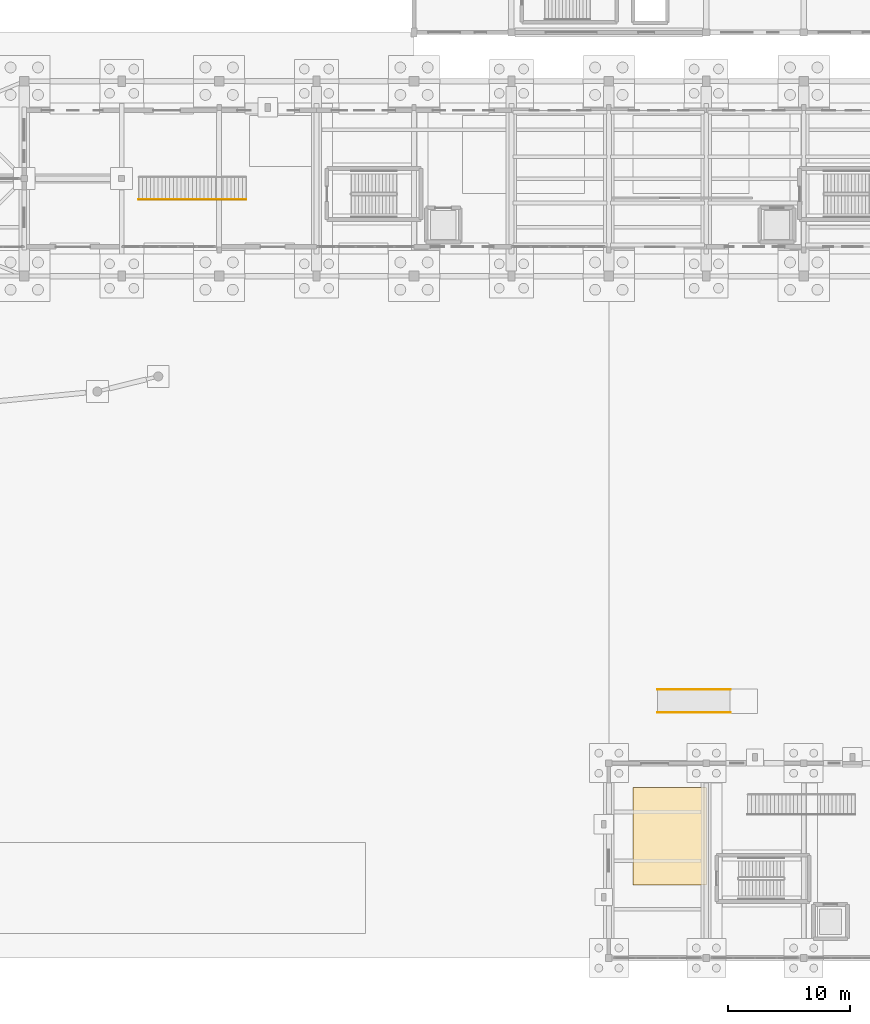
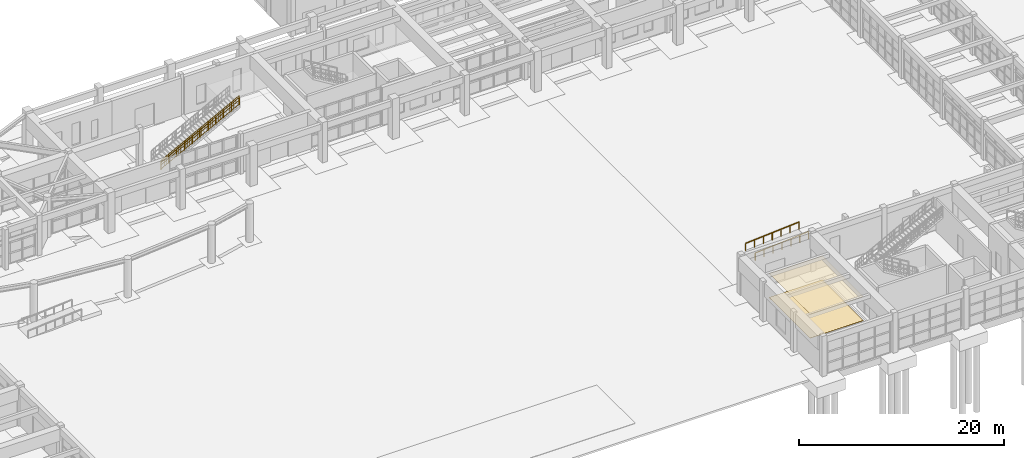
# One storey, part 59 of 68: 4 railings, 2 coverings.
"""IFC4 building model written with IfcOpenShell, lengths in metres."""

import ifcopenshell
import ifcopenshell.guid

model = None  # the IFC model being written
_history = None  # IfcOwnerHistory: only IFC2X3 demands one
_inside = {}  # id of a spatial element -> (the spatial element, [elements in it])
_under = {}  # id of a project, library or spatial element -> (it, [spatial elements below it])
_declared = {}  # id of a project -> (the project, [libraries it declares])
_typed = {}  # id of a type object -> (the type object, [elements of that type])
_made_of = {}  # id of a material, layer set ... -> (it, [elements and type objects made of it])


def new_model(schema):
    """Start an empty IFC model of exactly this schema.

    Asked for "IFC4X3", IfcOpenShell would pick the latest addendum, in which some entities
    have other attributes; the version numbers below select the first issue.
    IFC2X3 requires an IfcOwnerHistory on every rooted entity: one is made here for all.
    """
    global model, _history
    if schema == "IFC4X3":
        model = ifcopenshell.file(schema_version=(4, 3, 0, 0))
    else:
        model = ifcopenshell.file(schema=schema)
    _inside.clear()
    _under.clear()
    _declared.clear()
    _typed.clear()
    _made_of.clear()
    _history = None
    if model.schema == "IFC2X3":
        org = make("IfcOrganization", Name="unknown")
        user = make(
            "IfcPersonAndOrganization",
            ThePerson=make("IfcPerson", FamilyName="unknown"),
            TheOrganization=org,
        )
        app = make(
            "IfcApplication",
            ApplicationDeveloper=org,
            Version="unknown",
            ApplicationFullName="unknown",
            ApplicationIdentifier="unknown",
        )
        _history = make(
            "IfcOwnerHistory",
            OwningUser=user,
            OwningApplication=app,
            ChangeAction="ADDED",
            CreationDate=0,
        )
    return model


def make(cls, **values):
    """One entity of the class cls with the attributes given. An attribute that is None is left unset."""
    return model.create_entity(
        cls, **{name: value for name, value in values.items() if value is not None}
    )


def rooted(cls, **values):
    """An entity with a GlobalId (a new one), such as an element, a storey or a relation."""
    return make(cls, GlobalId=ifcopenshell.guid.new(), OwnerHistory=_history, **values)


def si_unit(unit_type, name, prefix=None):
    """IfcSIUnit, for example si_unit("LENGTHUNIT", "METRE", prefix="MILLI")."""
    return make("IfcSIUnit", UnitType=unit_type, Prefix=prefix, Name=name)


def assignment(units):
    """IfcUnitAssignment: the units of a project."""
    return None if units is None else make("IfcUnitAssignment", Units=units)


def point(xyz):
    """IfcCartesianPoint."""
    return None if xyz is None else make("IfcCartesianPoint", Coordinates=xyz)


def direction(xyz):
    """IfcDirection."""
    return None if xyz is None else make("IfcDirection", DirectionRatios=xyz)


def frame(location, z_axis=None, x_axis=None):
    """IfcAxis2Placement3D, a coordinate frame: its origin and axes. An axis left out is left unset."""
    return make(
        "IfcAxis2Placement3D",
        Location=point(location),
        Axis=direction(z_axis),
        RefDirection=direction(x_axis),
    )


def frame_2d(location, x_axis=None):
    """IfcAxis2Placement2D, a coordinate frame in the plane: its origin and x axis."""
    return make(
        "IfcAxis2Placement2D", Location=point(location), RefDirection=direction(x_axis)
    )


def origin():
    """The frame at (0, 0, 0) with its axes left unset."""
    return frame((0.0, 0.0, 0.0))


def origin_2d():
    """The frame at (0, 0) in the plane with its x axis left unset."""
    return frame_2d((0.0, 0.0))


def place(relative_to, where):
    """IfcLocalPlacement: puts the frame where relative to a parent placement (None: the world)."""
    return make(
        "IfcLocalPlacement", PlacementRelTo=relative_to, RelativePlacement=where
    )


def context(
    kind, dimensions, precision=None, world=None, true_north=None, identifier=None
):
    """IfcGeometricRepresentationContext, for example the 3D "Model" context."""
    return make(
        "IfcGeometricRepresentationContext",
        ContextIdentifier=identifier,
        ContextType=kind,
        CoordinateSpaceDimension=dimensions,
        Precision=precision,
        WorldCoordinateSystem=world,
        TrueNorth=true_north,
    )


def subcontext(parent, identifier, kind, view, scale=None):
    """IfcGeometricRepresentationSubContext, for example "Body" below "Model"."""
    return make(
        "IfcGeometricRepresentationSubContext",
        ContextIdentifier=identifier,
        ContextType=kind,
        ParentContext=parent,
        TargetScale=scale,
        TargetView=view,
    )


def project(units=None, contexts=None):
    """IfcProject with its units and contexts."""
    return rooted(
        "IfcProject",
        Name="project",
        RepresentationContexts=contexts,
        UnitsInContext=assignment(units),
    )


def spatial(cls, under=None, at=None, **own):
    """A site, building, storey or space (cls), placed at a placement, below another one or the project."""
    s = rooted(cls, ObjectPlacement=at, **own)
    if under is not None:
        _under.setdefault(under.id(), (under, []))[1].append(s)
    return s


def polyline(points):
    """IfcPolyline through the points."""
    return make("IfcPolyline", Points=[point(p) for p in points])


def profile(cls, at=None, kind="AREA", **sizes):
    """A parametric profile (cls). Its sizes go by their IFC names, for example OverallWidth=200.0."""
    return make(cls, ProfileType=kind, Position=at, **sizes)


def rectangle(**sizes):
    """IfcRectangleProfileDef."""
    return profile("IfcRectangleProfileDef", **sizes)


def outline(outer, holes=None, kind="AREA"):
    """IfcArbitraryClosedProfileDef: a profile drawn as a closed curve; with holes, ...WithVoids."""
    if holes is None:
        return make("IfcArbitraryClosedProfileDef", ProfileType=kind, OuterCurve=outer)
    return make(
        "IfcArbitraryProfileDefWithVoids",
        ProfileType=kind,
        OuterCurve=outer,
        InnerCurves=holes,
    )


def extrude(swept, where, along, depth):
    """IfcExtrudedAreaSolid: the profile swept, set in the frame where, extruded along a direction by depth."""
    return make(
        "IfcExtrudedAreaSolid",
        SweptArea=swept,
        Position=where,
        ExtrudedDirection=direction(along),
        Depth=depth,
    )


def shape(context_of_items, identifier, shape_type, items):
    """IfcShapeRepresentation: the items that make up one representation, for example the "Body"."""
    return make(
        "IfcShapeRepresentation",
        ContextOfItems=context_of_items,
        RepresentationIdentifier=identifier,
        RepresentationType=shape_type,
        Items=items,
    )


def material(Name=None, Category=None):
    """IfcMaterial."""
    return make("IfcMaterial", Name=Name, Category=Category)


def layer(
    of_material, thickness, ventilated=None, Name=None, Category=None, Priority=None
):
    """IfcMaterialLayer: one layer of a wall or slab, of a material (None: an air gap)."""
    return make(
        "IfcMaterialLayer",
        Material=of_material,
        LayerThickness=thickness,
        IsVentilated=ventilated,
        Name=Name,
        Category=Category,
        Priority=Priority,
    )


def layer_set(layers, Name=None):
    """IfcMaterialLayerSet."""
    return make("IfcMaterialLayerSet", MaterialLayers=layers, LayerSetName=Name)


def made_of(thing, what):
    """Note that an element or type object is made of a material, layer set ...; save() writes the relation."""
    if what is not None:
        _made_of.setdefault(what.id(), (what, []))[1].append(thing)
    return thing


def type_object(cls, material=None, **own):
    """A type object (cls), such as IfcWallType, which elements share."""
    return made_of(rooted(cls, **own), material)


def element(
    cls,
    number,
    at=None,
    inside=None,
    cuts=None,
    type_object=None,
    material=None,
    context=None,
    identifier="Body",
    shape_type=None,
    held_by="IfcProductDefinitionShape",
    body=None,
    shapes=None,
    **own,
):
    """One element of the class cls, such as IfcWall. Its Tag is "e" and its number.

    at: its placement. inside: the storey or other place that contains it. cuts: it is an
    opening in that element (IfcRelVoidsElement). A single representation is given by context,
    identifier, shape_type and body (its items); several are given by shapes. held_by: the class
    of the entity that holds the representations. save() writes the other relations.
    """
    e = rooted(cls, Tag="e%d" % number, ObjectPlacement=at, **own)
    if body is not None:
        shapes = [shape(context, identifier, shape_type, body)]
    if shapes is not None:
        e.Representation = make(held_by, Representations=shapes)
    if inside is not None:
        _inside.setdefault(inside.id(), (inside, []))[1].append(e)
    if cuts is not None:
        rooted(
            "IfcRelVoidsElement", RelatingBuildingElement=cuts, RelatedOpeningElement=e
        )
    if type_object is not None:
        _typed.setdefault(type_object.id(), (type_object, []))[1].append(e)
    return made_of(e, material)


def aggregate(whole, parts):
    """IfcRelAggregates: a whole, such as a stair, and the parts it consists of."""
    return rooted("IfcRelAggregates", RelatingObject=whole, RelatedObjects=parts)


def save(model, path):
    """Write the relations noted so far, then the file.

    IfcRelAggregates (storeys below a building ...), IfcRelContainedInSpatialStructure (elements
    in a storey), IfcRelDefinesByType, IfcRelAssociatesMaterial and IfcRelDeclares: one each for
    every whole, place, type object, material and project.
    """
    for whole, parts in _under.values():
        aggregate(whole, parts)
    for where, things in _inside.values():
        rooted(
            "IfcRelContainedInSpatialStructure",
            RelatedElements=things,
            RelatingStructure=where,
        )
    for kind, things in _typed.values():
        rooted("IfcRelDefinesByType", RelatedObjects=things, RelatingType=kind)
    for what, things in _made_of.values():
        rooted("IfcRelAssociatesMaterial", RelatedObjects=things, RelatingMaterial=what)
    for by, libraries in _declared.values():
        rooted("IfcRelDeclares", RelatingContext=by, RelatedDefinitions=libraries)
    model.write(path)


model = new_model("IFC4")

# Units and contexts
model_context = context("Model", 3, precision=1e-05, world=origin(), true_north=direction((0.0, 1.0)))
body_context = subcontext(model_context, "Body", "Model", "MODEL_VIEW")
ifc_project = project(units=[si_unit("LENGTHUNIT", "METRE"), si_unit("AREAUNIT", "SQUARE_METRE"), si_unit("VOLUMEUNIT", "CUBIC_METRE"), si_unit("PLANEANGLEUNIT", "RADIAN"), si_unit("MASSUNIT", "GRAM", prefix="KILO")], contexts=[model_context])

# Site, building, storey
site_placement = place(None, origin())
site = spatial("IfcSite", under=ifc_project, at=site_placement, CompositionType="ELEMENT")
building_placement = place(site_placement, origin())
building = spatial("IfcBuilding", under=site, at=building_placement, Name="Serraluz Foothill Cableway Terminal", CompositionType="ELEMENT")
storey_placement = place(building_placement, origin())
storey = spatial("IfcBuildingStorey", under=building, at=storey_placement, Name="L00", CompositionType="ELEMENT", Elevation=0.0)

# Coverings
ifc_material_1 = material(Name="Perforated acoustic mineral and timber ceiling", Category="wood")
ifc_layer_1 = layer(ifc_material_1, 0.034912109375, Name="Perforated acoustic mineral and timber ceiling", Category="wood")
ifc_layer_set_1 = layer_set([ifc_layer_1], Name="Perforated acoustic mineral and timber ceiling")
covering_type_1 = type_object("IfcCoveringType", Name="TYP-COV-CEIL-35", PredefinedType="CEILING", material=ifc_layer_set_1)
covering_1_placement = place(storey_placement, frame((0.0, 0.0, 2.85595703125)))
element("IfcCovering", 1, at=covering_1_placement, inside=storey, type_object=covering_type_1, Name="Suspended Acoustic Ceiling 04", PredefinedType="CEILING", context=body_context, shape_type="SweptSolid", body=[
    extrude(outline(polyline([(90.0, 6.0), (90.0, 14.0), (96.0, 14.0), (96.0, 6.0), (90.0, 6.0)])), origin(), (0.0, 0.0, 1.0), 0.03515625),
])
ifc_material_2 = material(Name="Honed basalt and terrazzo floor finish", Category="masonry")
ifc_layer_2 = layer(ifc_material_2, 0.02490234375, Name="Honed basalt and terrazzo floor finish", Category="masonry")
ifc_layer_set_2 = layer_set([ifc_layer_2], Name="Honed basalt and terrazzo floor finish")
covering_type_2 = type_object("IfcCoveringType", Name="TYP-COV-FLR-25", PredefinedType="FLOORING", material=ifc_layer_set_2)
covering_2_placement = place(storey_placement, origin())
element("IfcCovering", 2, at=covering_2_placement, inside=storey, type_object=covering_type_2, Name="Terrazzo Concourse Flooring 04", PredefinedType="FLOORING", context=body_context, shape_type="SweptSolid", body=[
    extrude(outline(polyline([(90.0, 6.0), (96.0, 6.0), (96.0, 14.0), (90.0, 14.0), (90.0, 6.0)])), origin(), (0.0, 0.0, 1.0), 0.02490234375),
])

# Railings
ifc_material_3 = material(Name="Steel ASTM A572 Grade 50", Category="steel")
ifc_layer_3 = layer(ifc_material_3, 0.054931640625, Name="Steel ASTM A572 Grade 50", Category="steel")
ifc_layer_set_3 = layer_set([ifc_layer_3], Name="Steel ASTM A572 Grade 50")
railing_type_1 = type_object("IfcRailingType", Name="TYP-RL-GRD-1150", PredefinedType="GUARDRAIL", material=ifc_layer_set_3)
railing_1_placement = place(storey_placement, frame((49.39990234375, 62.25, 0.16552734375)))
element("IfcRailing", 3, at=railing_1_placement, inside=storey, type_object=railing_type_1, Name="GUARDRAIL ST-F01-L", PredefinedType="GUARDRAIL", context=body_context, shape_type="SweptSolid", body=[
    extrude(rectangle(XDim=0.048095703125, YDim=0.048095703125, at=origin_2d()), frame((0.0, 0.0, 1.1259765625), z_axis=(0.88523321492, 0.0, 0.465147455333), x_axis=(0.0, 1.0, 0.0)), (0.0, 0.0, 1.0), 9.963623046875),
    extrude(rectangle(XDim=0.048095703125, YDim=0.048095703125, at=origin_2d()), frame((0.0, 0.0, 0.597900390625), z_axis=(0.88523321492, 0.0, 0.465147455333), x_axis=(0.0, 1.0, 0.0)), (0.0, 0.0, 1.0), 9.963623046875),
    extrude(rectangle(XDim=0.048095703125, YDim=0.048095703125, at=origin_2d()), frame((0.0, 0.0, 0.1201171875), z_axis=(0.88523321492, 0.0, 0.465147455333), x_axis=(0.0, 1.0, 0.0)), (0.0, 0.0, 1.0), 9.963623046875),
    extrude(rectangle(XDim=0.02001953125, YDim=0.02001953125, at=origin_2d()), frame((0.215087890625, 0.0, 0.233154296875)), (0.0, 0.0, 1.0), 0.981689453125),
    extrude(rectangle(XDim=0.02001953125, YDim=0.02001953125, at=origin_2d()), frame((0.43017578125, 0.0, 0.34619140625)), (0.0, 0.0, 1.0), 0.981689453125),
    extrude(rectangle(XDim=0.02001953125, YDim=0.02001953125, at=origin_2d()), frame((0.645263671875, 0.0, 0.459228515625)), (0.0, 0.0, 1.0), 0.981689453125),
    extrude(rectangle(XDim=0.02001953125, YDim=0.02001953125, at=origin_2d()), frame((1.07568359375, 0.0, 0.685302734375)), (0.0, 0.0, 1.0), 0.981689453125),
    extrude(rectangle(XDim=0.02001953125, YDim=0.02001953125, at=origin_2d()), frame((1.290771484375, 0.0, 0.79833984375)), (0.0, 0.0, 1.0), 0.981689453125),
    extrude(rectangle(XDim=0.02001953125, YDim=0.02001953125, at=origin_2d()), frame((1.505859375, 0.0, 0.911376953125)), (0.0, 0.0, 1.0), 0.981689453125),
    extrude(rectangle(XDim=0.02001953125, YDim=0.02001953125, at=origin_2d()), frame((1.93603515625, 0.0, 1.137451171875)), (0.0, 0.0, 1.0), 0.981689453125),
    extrude(rectangle(XDim=0.02001953125, YDim=0.02001953125, at=origin_2d()), frame((2.151123046875, 0.0, 1.25048828125)), (0.0, 0.0, 1.0), 0.981689453125),
    extrude(rectangle(XDim=0.02001953125, YDim=0.02001953125, at=origin_2d()), frame((2.366455078125, 0.0, 1.363525390625)), (0.0, 0.0, 1.0), 0.981689453125),
    extrude(rectangle(XDim=0.02001953125, YDim=0.02001953125, at=origin_2d()), frame((2.58154296875, 0.0, 1.4765625)), (0.0, 0.0, 1.0), 0.981689453125),
    extrude(rectangle(XDim=0.02001953125, YDim=0.02001953125, at=origin_2d()), frame((2.796630859375, 0.0, 1.589599609375)), (0.0, 0.0, 1.0), 0.981689453125),
    extrude(rectangle(XDim=0.02001953125, YDim=0.02001953125, at=origin_2d()), frame((3.01171875, 0.0, 1.70263671875)), (0.0, 0.0, 1.0), 0.981689453125),
    extrude(rectangle(XDim=0.02001953125, YDim=0.02001953125, at=origin_2d()), frame((3.226806640625, 0.0, 1.815673828125)), (0.0, 0.0, 1.0), 0.981689453125),
    extrude(rectangle(XDim=0.02001953125, YDim=0.02001953125, at=origin_2d()), frame((3.44189453125, 0.0, 1.9287109375)), (0.0, 0.0, 1.0), 0.981689453125),
    extrude(rectangle(XDim=0.02001953125, YDim=0.02001953125, at=origin_2d()), frame((3.656982421875, 0.0, 2.041748046875)), (0.0, 0.0, 1.0), 0.981689453125),
    extrude(rectangle(XDim=0.02001953125, YDim=0.02001953125, at=origin_2d()), frame((3.872314453125, 0.0, 2.15478515625)), (0.0, 0.0, 1.0), 0.981689453125),
    extrude(rectangle(XDim=0.02001953125, YDim=0.02001953125, at=origin_2d()), frame((4.08740234375, 0.0, 2.267822265625)), (0.0, 0.0, 1.0), 0.981689453125),
    extrude(rectangle(XDim=0.02001953125, YDim=0.02001953125, at=origin_2d()), frame((4.302490234375, 0.0, 2.380859375)), (0.0, 0.0, 1.0), 0.981689453125),
    extrude(rectangle(XDim=0.02001953125, YDim=0.02001953125, at=origin_2d()), frame((4.517578125, 0.0, 2.493896484375)), (0.0, 0.0, 1.0), 0.981689453125),
    extrude(rectangle(XDim=0.02001953125, YDim=0.02001953125, at=origin_2d()), frame((4.732666015625, 0.0, 2.60693359375)), (0.0, 0.0, 1.0), 0.981689453125),
    extrude(rectangle(XDim=0.02001953125, YDim=0.02001953125, at=origin_2d()), frame((4.94775390625, 0.0, 2.719970703125)), (0.0, 0.0, 1.0), 0.981689453125),
    extrude(rectangle(XDim=0.02001953125, YDim=0.02001953125, at=origin_2d()), frame((5.1630859375, 0.0, 2.8330078125)), (0.0, 0.0, 1.0), 0.981689453125),
    extrude(rectangle(XDim=0.02001953125, YDim=0.02001953125, at=origin_2d()), frame((5.378173828125, 0.0, 2.946044921875)), (0.0, 0.0, 1.0), 0.981689453125),
    extrude(rectangle(XDim=0.02001953125, YDim=0.02001953125, at=origin_2d()), frame((5.59326171875, 0.0, 3.05908203125)), (0.0, 0.0, 1.0), 0.981689453125),
    extrude(rectangle(XDim=0.02001953125, YDim=0.02001953125, at=origin_2d()), frame((5.808349609375, 0.0, 3.172119140625)), (0.0, 0.0, 1.0), 0.981689453125),
    extrude(rectangle(XDim=0.02001953125, YDim=0.02001953125, at=origin_2d()), frame((6.0234375, 0.0, 3.28515625)), (0.0, 0.0, 1.0), 0.981689453125),
    extrude(rectangle(XDim=0.02001953125, YDim=0.02001953125, at=origin_2d()), frame((6.238525390625, 0.0, 3.398193359375)), (0.0, 0.0, 1.0), 0.981689453125),
    extrude(rectangle(XDim=0.02001953125, YDim=0.02001953125, at=origin_2d()), frame((6.45361328125, 0.0, 3.51123046875)), (0.0, 0.0, 1.0), 0.981689453125),
    extrude(rectangle(XDim=0.02001953125, YDim=0.02001953125, at=origin_2d()), frame((6.6689453125, 0.0, 3.624267578125)), (0.0, 0.0, 1.0), 0.981689453125),
    extrude(rectangle(XDim=0.02001953125, YDim=0.02001953125, at=origin_2d()), frame((6.884033203125, 0.0, 3.7373046875)), (0.0, 0.0, 1.0), 0.981689453125),
    extrude(rectangle(XDim=0.02001953125, YDim=0.02001953125, at=origin_2d()), frame((7.314208984375, 0.0, 3.96337890625)), (0.0, 0.0, 1.0), 0.981689453125),
    extrude(rectangle(XDim=0.02001953125, YDim=0.02001953125, at=origin_2d()), frame((7.529296875, 0.0, 4.076416015625)), (0.0, 0.0, 1.0), 0.981689453125),
    extrude(rectangle(XDim=0.02001953125, YDim=0.02001953125, at=origin_2d()), frame((7.744384765625, 0.0, 4.189453125)), (0.0, 0.0, 1.0), 0.981689453125),
    extrude(rectangle(XDim=0.02001953125, YDim=0.02001953125, at=origin_2d()), frame((8.1748046875, 0.0, 4.41552734375)), (0.0, 0.0, 1.0), 0.981689453125),
    extrude(rectangle(XDim=0.02001953125, YDim=0.02001953125, at=origin_2d()), frame((8.389892578125, 0.0, 4.528564453125)), (0.0, 0.0, 1.0), 0.981689453125),
    extrude(rectangle(XDim=0.02001953125, YDim=0.02001953125, at=origin_2d()), frame((8.60498046875, 0.0, 4.6416015625)), (0.0, 0.0, 1.0), 0.981689453125),
    extrude(rectangle(XDim=0.0439453125, YDim=0.0439453125, at=origin_2d()), origin(), (0.0, 0.0, 1.0), 1.101806640625),
    extrude(rectangle(XDim=0.0439453125, YDim=0.0439453125, at=origin_2d()), frame((0.882080078125, 0.0, 0.46337890625)), (0.0, 0.0, 1.0), 1.101806640625),
    extrude(rectangle(XDim=0.0439453125, YDim=0.0439453125, at=origin_2d()), frame((1.763916015625, 0.0, 0.927001953125)), (0.0, 0.0, 1.0), 1.101806640625),
    extrude(rectangle(XDim=0.0439453125, YDim=0.0439453125, at=origin_2d()), frame((2.64599609375, 0.0, 1.390380859375)), (0.0, 0.0, 1.0), 1.101806640625),
    extrude(rectangle(XDim=0.0439453125, YDim=0.0439453125, at=origin_2d()), frame((3.528076171875, 0.0, 1.853759765625)), (0.0, 0.0, 1.0), 1.101806640625),
    extrude(rectangle(XDim=0.0439453125, YDim=0.0439453125, at=origin_2d()), frame((4.41015625, 0.0, 2.3173828125)), (0.0, 0.0, 1.0), 1.101806640625),
    extrude(rectangle(XDim=0.0439453125, YDim=0.0439453125, at=origin_2d()), frame((5.2919921875, 0.0, 2.78076171875)), (0.0, 0.0, 1.0), 1.101806640625),
    extrude(rectangle(XDim=0.0439453125, YDim=0.0439453125, at=origin_2d()), frame((6.174072265625, 0.0, 3.244140625)), (0.0, 0.0, 1.0), 1.101806640625),
    extrude(rectangle(XDim=0.0439453125, YDim=0.0439453125, at=origin_2d()), frame((7.05615234375, 0.0, 3.70751953125)), (0.0, 0.0, 1.0), 1.101806640625),
    extrude(rectangle(XDim=0.0439453125, YDim=0.0439453125, at=origin_2d()), frame((7.93798828125, 0.0, 4.171142578125)), (0.0, 0.0, 1.0), 1.101806640625),
    extrude(rectangle(XDim=0.0439453125, YDim=0.0439453125, at=origin_2d()), frame((8.820068359375, 0.0, 4.634521484375)), (0.0, 0.0, 1.0), 1.101806640625),
])
ifc_material_4 = material(Name="Architectural bronze alloy C28000", Category="aluminium")
ifc_layer_4 = layer(ifc_material_4, 0.048095703125, Name="Architectural bronze alloy C28000", Category="aluminium")
ifc_layer_set_4 = layer_set([ifc_layer_4], Name="Architectural bronze alloy C28000")
railing_type_2 = type_object("IfcRailingType", Name="TYP-RL-HND-920", PredefinedType="HANDRAIL", material=ifc_layer_set_4)
railing_2_placement = place(storey_placement, frame((49.39990234375, 62.280029296875, 0.16552734375)))
element("IfcRailing", 4, at=railing_2_placement, inside=storey, type_object=railing_type_2, Name="HANDRAIL ST-F01", PredefinedType="HANDRAIL", context=body_context, shape_type="SweptSolid", body=[
    extrude(rectangle(XDim=0.048095703125, YDim=0.048095703125, at=origin_2d()), frame((0.0, 0.0, 0.8759765625), z_axis=(0.88523321492, 0.0, 0.465147455333), x_axis=(0.0, 1.0, 0.0)), (0.0, 0.0, 1.0), 9.963623046875),
    extrude(rectangle(XDim=0.0439453125, YDim=0.0439453125, at=origin_2d()), origin(), (0.0, 0.0, 1.0), 0.851806640625),
    extrude(rectangle(XDim=0.0439453125, YDim=0.0439453125, at=origin_2d()), frame((0.882080078125, 0.0, 0.46337890625)), (0.0, 0.0, 1.0), 0.851806640625),
    extrude(rectangle(XDim=0.0439453125, YDim=0.0439453125, at=origin_2d()), frame((1.763916015625, 0.0, 0.927001953125)), (0.0, 0.0, 1.0), 0.851806640625),
    extrude(rectangle(XDim=0.0439453125, YDim=0.0439453125, at=origin_2d()), frame((2.64599609375, 0.0, 1.390380859375)), (0.0, 0.0, 1.0), 0.851806640625),
    extrude(rectangle(XDim=0.0439453125, YDim=0.0439453125, at=origin_2d()), frame((3.528076171875, 0.0, 1.853759765625)), (0.0, 0.0, 1.0), 0.851806640625),
    extrude(rectangle(XDim=0.0439453125, YDim=0.0439453125, at=origin_2d()), frame((4.41015625, 0.0, 2.3173828125)), (0.0, 0.0, 1.0), 0.851806640625),
    extrude(rectangle(XDim=0.0439453125, YDim=0.0439453125, at=origin_2d()), frame((5.2919921875, 0.0, 2.78076171875)), (0.0, 0.0, 1.0), 0.851806640625),
    extrude(rectangle(XDim=0.0439453125, YDim=0.0439453125, at=origin_2d()), frame((6.174072265625, 0.0, 3.244140625)), (0.0, 0.0, 1.0), 0.851806640625),
    extrude(rectangle(XDim=0.0439453125, YDim=0.0439453125, at=origin_2d()), frame((7.05615234375, 0.0, 3.70751953125)), (0.0, 0.0, 1.0), 0.851806640625),
    extrude(rectangle(XDim=0.0439453125, YDim=0.0439453125, at=origin_2d()), frame((7.93798828125, 0.0, 4.171142578125)), (0.0, 0.0, 1.0), 0.851806640625),
    extrude(rectangle(XDim=0.0439453125, YDim=0.0439453125, at=origin_2d()), frame((8.820068359375, 0.0, 4.634521484375)), (0.0, 0.0, 1.0), 0.851806640625),
])
for number, where, name in (
    (5, (92.0, 22.0400390625, 0.0), "HANDRAIL RMP-04-L"),
    (6, (92.0, 20.159912109375, 0.0), "HANDRAIL RMP-04-R"),
):
    element("IfcRailing", number, at=place(storey_placement, frame(where)), inside=storey, type_object=railing_type_2, Name=name, PredefinedType="HANDRAIL", context=body_context, shape_type="SweptSolid", body=[
        extrude(rectangle(XDim=0.048095703125, YDim=0.048095703125, at=origin_2d()), frame((0.0, 0.0, 0.8759765625), z_axis=(0.997199915094, 0.0, 0.074781878398), x_axis=(0.0, 1.0, 0.0)), (0.0, 0.0, 1.0), 6.016845703125),
        extrude(rectangle(XDim=0.0439453125, YDim=0.0439453125, at=origin_2d()), origin(), (0.0, 0.0, 1.0), 0.851806640625),
        extrude(rectangle(XDim=0.0439453125, YDim=0.0439453125, at=origin_2d()), frame((1.0, 0.0, 0.074951171875)), (0.0, 0.0, 1.0), 0.851806640625),
        extrude(rectangle(XDim=0.0439453125, YDim=0.0439453125, at=origin_2d()), frame((2.0, 0.0, 0.14990234375)), (0.0, 0.0, 1.0), 0.851806640625),
        extrude(rectangle(XDim=0.0439453125, YDim=0.0439453125, at=origin_2d()), frame((3.0, 0.0, 0.22509765625)), (0.0, 0.0, 1.0), 0.851806640625),
        extrude(rectangle(XDim=0.0439453125, YDim=0.0439453125, at=origin_2d()), frame((4.0, 0.0, 0.300048828125)), (0.0, 0.0, 1.0), 0.851806640625),
        extrude(rectangle(XDim=0.0439453125, YDim=0.0439453125, at=origin_2d()), frame((5.0, 0.0, 0.375)), (0.0, 0.0, 1.0), 0.851806640625),
        extrude(rectangle(XDim=0.0439453125, YDim=0.0439453125, at=origin_2d()), frame((6.0, 0.0, 0.449951171875)), (0.0, 0.0, 1.0), 0.851806640625),
    ])

save(model, "model.ifc")
